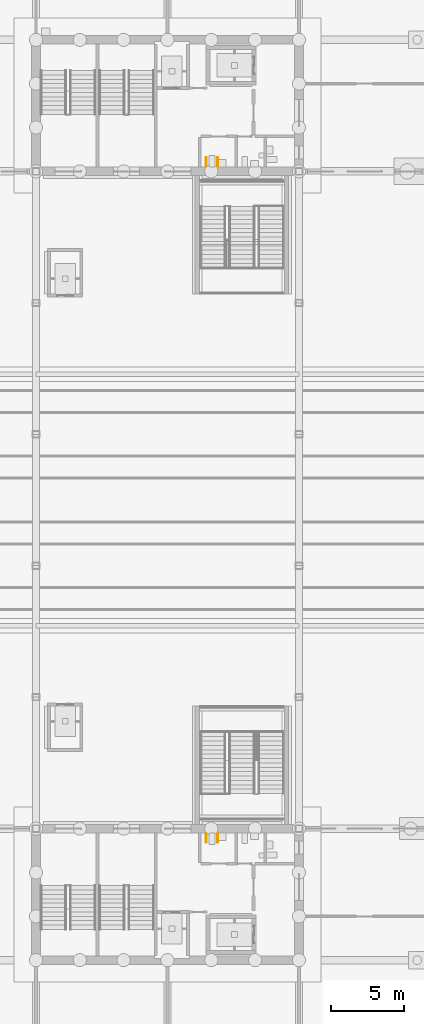
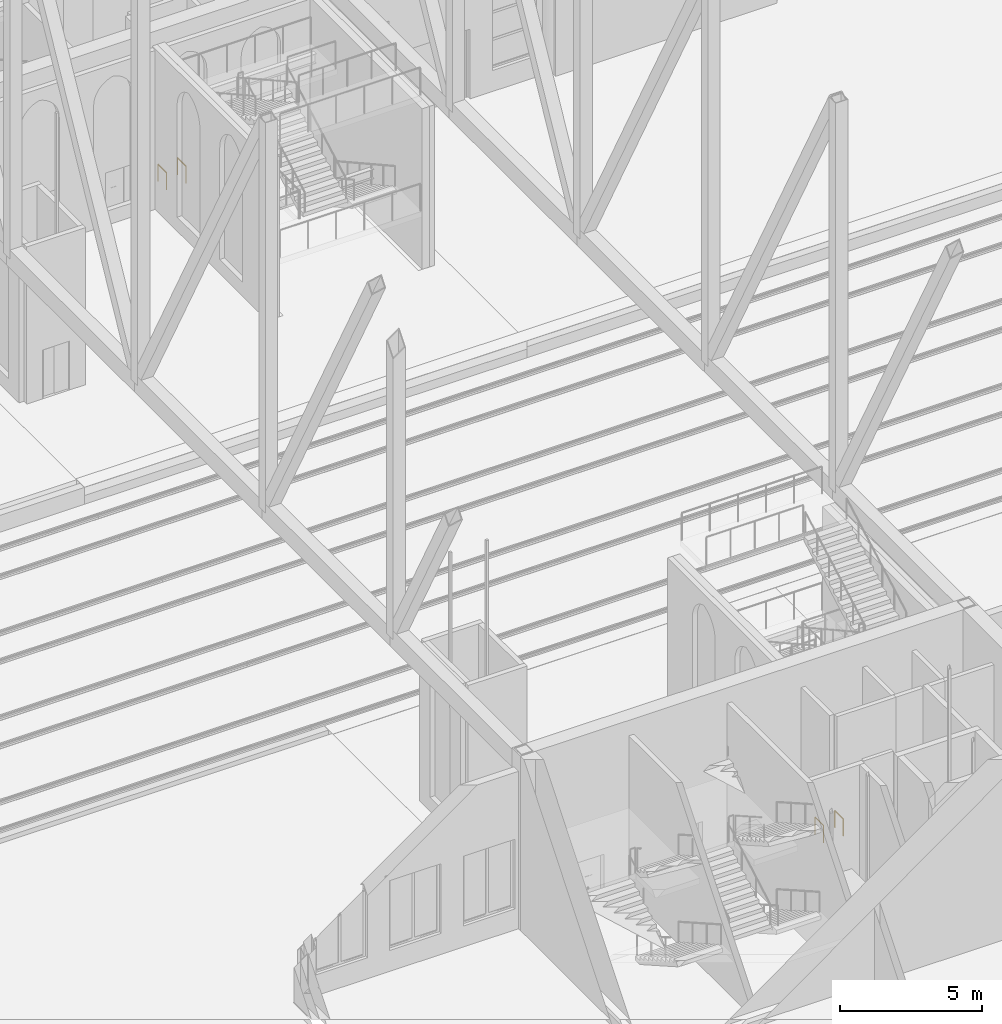
# One storey, part 225 of 250: 4 railings.
"""IFC4 building model written with IfcOpenShell, lengths in metres."""

from ifc_helpers import new_model, si_unit, direction, frame, origin, origin_2d, place, context, subcontext, project, spatial, circle, extrude, material, type_object, element, save


model = new_model("IFC4")

# Units and contexts
model_context = context("Model", 3, precision=1e-05, world=origin(), true_north=direction((0.0, 1.0)))
body_context = subcontext(model_context, "Body", "Model", "MODEL_VIEW")
ifc_project = project(units=[si_unit("LENGTHUNIT", "METRE"), si_unit("AREAUNIT", "SQUARE_METRE"), si_unit("VOLUMEUNIT", "CUBIC_METRE"), si_unit("PLANEANGLEUNIT", "RADIAN"), si_unit("MASSUNIT", "GRAM", prefix="KILO")], contexts=[model_context])

# Site, building, storey
site_placement = place(None, origin())
site = spatial("IfcSite", under=ifc_project, at=site_placement, CompositionType="ELEMENT")
building_placement = place(site_placement, origin())
building = spatial("IfcBuilding", under=site, at=building_placement, Name="Baradari Gate Terminus", CompositionType="ELEMENT")
storey_placement = place(building_placement, origin())
storey = spatial("IfcBuildingStorey", under=building, at=storey_placement, Name="L00", CompositionType="ELEMENT", Elevation=0.0)

# Railings
ifc_material = material(Name="Stainless steel 1.4301", Category="steel")
railing_type = type_object("IfcRailingType", Name="Grab rail GB-1 750", PredefinedType="HANDRAIL", material=ifc_material)
for number, where, name in (
    (1, (83.64990234375, 81.35009765625, 0.0), "Grab rail Accessible WC"),
    (2, (84.449951171875, 81.35009765625, 0.0), "Grab rail Accessible WC"),
):
    element("IfcRailing", number, at=place(storey_placement, frame(where)), inside=storey, type_object=railing_type, Name=name, PredefinedType="HANDRAIL", context=body_context, shape_type="SweptSolid", body=[
        extrude(circle(Radius=0.02392578125, at=origin_2d()), frame((0.0, 0.0, 0.72607421875), z_axis=(0.0, 1.0, 0.0), x_axis=(-1.0, 0.0, 0.0)), (0.0, 0.0, 1.0), 0.599853515625),
        extrude(circle(Radius=0.02099609375, at=origin_2d()), origin(), (0.0, 0.0, 1.0), 0.701904296875),
        extrude(circle(Radius=0.02099609375, at=origin_2d()), frame((0.0, 0.599853515625, 0.0)), (0.0, 0.0, 1.0), 0.701904296875),
    ])
for number, where, name in (
    (3, (83.64990234375, 35.64990234375, 0.0), "Grab rail Accessible WC"),
    (4, (84.449951171875, 35.64990234375, 0.0), "Grab rail Accessible WC"),
):
    element("IfcRailing", number, at=place(storey_placement, frame(where)), inside=storey, type_object=railing_type, Name=name, PredefinedType="HANDRAIL", context=body_context, shape_type="SweptSolid", body=[
        extrude(circle(Radius=0.02392578125, at=origin_2d()), frame((0.0, 0.0, 0.72607421875), z_axis=(0.0, -1.0, 0.0), x_axis=(1.0, 0.0, 0.0)), (0.0, 0.0, 1.0), 0.599853515625),
        extrude(circle(Radius=0.02099609375, at=origin_2d()), origin(), (0.0, 0.0, 1.0), 0.701904296875),
        extrude(circle(Radius=0.02099609375, at=origin_2d()), frame((0.0, -0.599853515625, 0.0)), (0.0, 0.0, 1.0), 0.701904296875),
    ])

save(model, "model.ifc")
